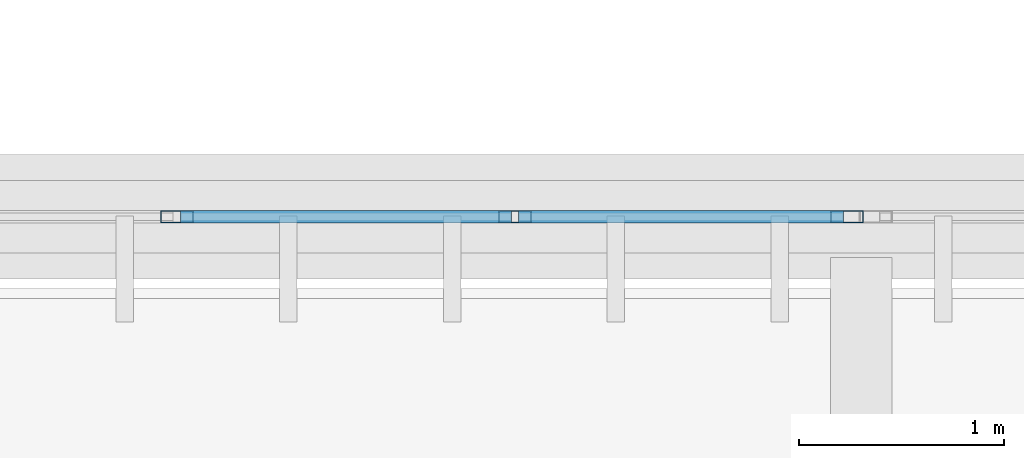
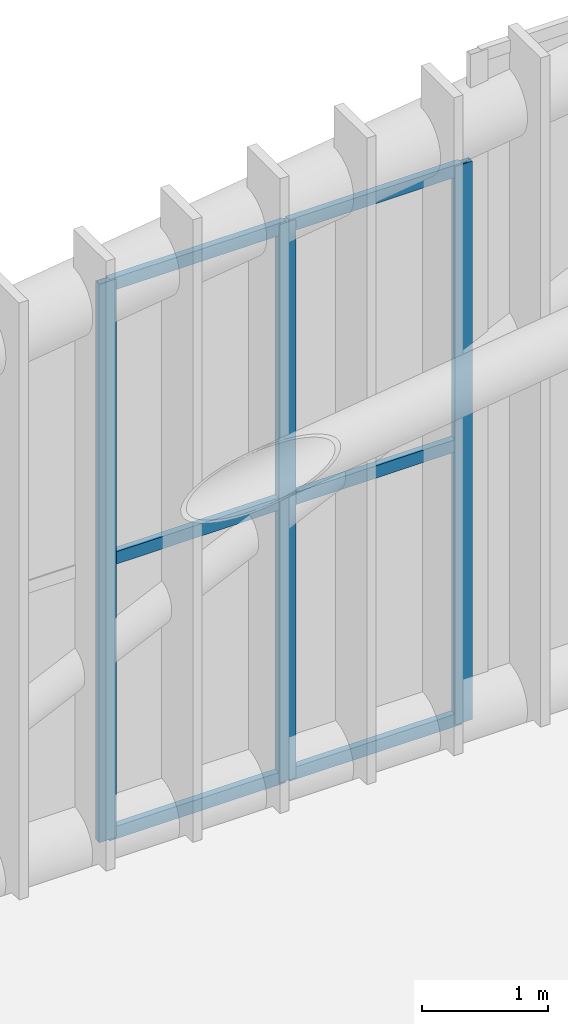
# One storey, part 19 of 397: 9 members, 1 element without a shape of its own.
"""IFC4 building model written with IfcOpenShell, lengths in metres."""

from ifc_helpers import new_model, si_unit, direction, frame, origin, origin_2d, place, context, subcontext, project, spatial, hollow_rectangle, extrude, material, material_profile, profile_set, type_object, element, aggregate, save


model = new_model("IFC4")

# Units and contexts
model_context = context("Model", 3, precision=1e-05, world=origin(), true_north=direction((0.0, 1.0)))
body_context = subcontext(model_context, "Body", "Model", "MODEL_VIEW")
ifc_project = project(units=[si_unit("LENGTHUNIT", "METRE"), si_unit("AREAUNIT", "SQUARE_METRE"), si_unit("VOLUMEUNIT", "CUBIC_METRE"), si_unit("PLANEANGLEUNIT", "RADIAN"), si_unit("MASSUNIT", "GRAM", prefix="KILO")], contexts=[model_context])

# Site, building, storey
site_placement = place(None, origin())
site = spatial("IfcSite", under=ifc_project, at=site_placement, CompositionType="ELEMENT")
building_placement = place(site_placement, origin())
building = spatial("IfcBuilding", under=site, at=building_placement, Name="Qandorah Velis Arena", CompositionType="ELEMENT")
storey_placement = place(building_placement, frame((0.0, 0.0, 27.5)))
storey = spatial("IfcBuildingStorey", under=building, at=storey_placement, Name="RF", CompositionType="ELEMENT", Elevation=27.5)

# Curtain wall, members
ifc_material_1 = material(Name="Solar-control low-E double glazing", Category="glass")
curtain_wall_type = type_object("IfcCurtainWallType", Name="ARC-CW-SYS18", PredefinedType="USERDEFINED", material=ifc_material_1)
curtain_wall_placement = place(storey_placement, origin())
curtain_wall = element("IfcCurtainWall", 1, at=curtain_wall_placement, inside=storey, type_object=curtain_wall_type, Name="Unitised curtain wall CROWN-3-02S1", ObjectType="UNITISED CURTAIN WALL", PredefinedType="USERDEFINED")
ifc_material_2 = material(Name="Champagne-bronze anodized aluminium 6063-T6", Category="aluminium")
ifc_material_profile_1 = material_profile(ifc_material_2, hollow_rectangle(XDim=0.06005859375, YDim=0.159912109375, WallThickness=0.00341796875, at=origin_2d()), Name="ALU MULLION 60x160")
ifc_profile_set_1 = profile_set([ifc_material_profile_1], Name="Champagne-bronze anodized aluminium 6063-T6")
member_type_1 = type_object("IfcMemberType", Name="ARC-CWM-160", PredefinedType="MULLION", material=ifc_profile_set_1)
member_1_placement = place(storey_placement, frame((32.655029296875, 14.39990234375, -0.014892578125), z_axis=(0.0, 0.0, 1.0), x_axis=(0.0, 1.0, 0.0)))
member_1 = element("IfcMember", 2, at=member_1_placement, type_object=member_type_1, Name="CW18 mullion 3", PredefinedType="MULLION", context=body_context, shape_type="SweptSolid", body=[
    extrude(hollow_rectangle(XDim=0.06005859375, YDim=0.159912109375, WallThickness=0.00341796875, at=origin_2d()), origin(), (0.0, 0.0, 1.0), 5.430908203125),
])
member_2_placement = place(storey_placement, frame((34.3076171875, 14.39990234375, -0.014892578125), z_axis=(0.0, 0.0, 1.0), x_axis=(0.0, 1.0, 0.0)))
member_2 = element("IfcMember", 3, at=member_2_placement, type_object=member_type_1, Name="CW18 mullion 4", PredefinedType="MULLION", context=body_context, shape_type="SweptSolid", body=[
    extrude(hollow_rectangle(XDim=0.06005859375, YDim=0.159912109375, WallThickness=0.00341796875, at=origin_2d()), origin(), (0.0, 0.0, 1.0), 5.430908203125),
])
member_3_placement = place(storey_placement, frame((35.929931640625, 14.39990234375, -0.014892578125), z_axis=(0.0, 0.0, 1.0), x_axis=(0.0, 1.0, 0.0)))
member_3 = element("IfcMember", 4, at=member_3_placement, type_object=member_type_1, Name="CW18 mullion 5", PredefinedType="MULLION", context=body_context, shape_type="SweptSolid", body=[
    extrude(hollow_rectangle(XDim=0.06005859375, YDim=0.159912109375, WallThickness=0.00341796875, at=origin_2d()), origin(), (0.0, 0.0, 1.0), 5.430908203125),
])
ifc_material_profile_2 = material_profile(ifc_material_2, hollow_rectangle(XDim=0.06005859375, YDim=0.1201171875, WallThickness=0.0029296875, at=origin_2d()), Name="ALU TRANSOM 60x120")
ifc_profile_set_2 = profile_set([ifc_material_profile_2], Name="Champagne-bronze anodized aluminium 6063-T6")
member_type_2 = type_object("IfcMemberType", Name="ARC-CWT-120", PredefinedType="USERDEFINED", material=ifc_profile_set_2)
member_4_placement = place(storey_placement, frame((32.673095703125, 14.39990234375, 0.030029296875), z_axis=(1.0, 0.0, 0.0), x_axis=(0.0, 1.0, 0.0)))
member_4 = element("IfcMember", 5, at=member_4_placement, type_object=member_type_2, Name="CW18 transom 3.1", ObjectType="TRANSOM", PredefinedType="USERDEFINED", context=body_context, shape_type="SweptSolid", body=[
    extrude(hollow_rectangle(XDim=0.06005859375, YDim=0.1201171875, WallThickness=0.0029296875, at=origin_2d()), origin(), (0.0, 0.0, 1.0), 1.616455078125),
])
member_5_placement = place(storey_placement, frame((32.673095703125, 14.39990234375, 2.700439453125), z_axis=(1.0, 0.0, 0.0), x_axis=(0.0, 1.0, 0.0)))
member_5 = element("IfcMember", 6, at=member_5_placement, type_object=member_type_2, Name="CW18 transom 3.2", ObjectType="TRANSOM", PredefinedType="USERDEFINED", context=body_context, shape_type="SweptSolid", body=[
    extrude(hollow_rectangle(XDim=0.06005859375, YDim=0.1201171875, WallThickness=0.0029296875, at=origin_2d()), origin(), (0.0, 0.0, 1.0), 1.616455078125),
])
member_6_placement = place(storey_placement, frame((32.673095703125, 14.39990234375, 5.370849609375), z_axis=(1.0, 0.0, 0.0), x_axis=(0.0, 1.0, 0.0)))
member_6 = element("IfcMember", 7, at=member_6_placement, type_object=member_type_2, Name="CW18 transom 3.3", ObjectType="TRANSOM", PredefinedType="USERDEFINED", context=body_context, shape_type="SweptSolid", body=[
    extrude(hollow_rectangle(XDim=0.06005859375, YDim=0.1201171875, WallThickness=0.0029296875, at=origin_2d()), origin(), (0.0, 0.0, 1.0), 1.616455078125),
])
member_7_placement = place(storey_placement, frame((34.325439453125, 14.39990234375, 0.030029296875), z_axis=(1.0, 0.0, 0.0), x_axis=(0.0, 1.0, 0.0)))
member_7 = element("IfcMember", 8, at=member_7_placement, type_object=member_type_2, Name="CW18 transom 4.1", ObjectType="TRANSOM", PredefinedType="USERDEFINED", context=body_context, shape_type="SweptSolid", body=[
    extrude(hollow_rectangle(XDim=0.06005859375, YDim=0.1201171875, WallThickness=0.0029296875, at=origin_2d()), origin(), (0.0, 0.0, 1.0), 1.586669921875),
])
member_8_placement = place(storey_placement, frame((34.325439453125, 14.39990234375, 2.700439453125), z_axis=(1.0, 0.0, 0.0), x_axis=(0.0, 1.0, 0.0)))
member_8 = element("IfcMember", 9, at=member_8_placement, type_object=member_type_2, Name="CW18 transom 4.2", ObjectType="TRANSOM", PredefinedType="USERDEFINED", context=body_context, shape_type="SweptSolid", body=[
    extrude(hollow_rectangle(XDim=0.06005859375, YDim=0.1201171875, WallThickness=0.0029296875, at=origin_2d()), origin(), (0.0, 0.0, 1.0), 1.586669921875),
])
member_9_placement = place(storey_placement, frame((34.325439453125, 14.39990234375, 5.370849609375), z_axis=(1.0, 0.0, 0.0), x_axis=(0.0, 1.0, 0.0)))
member_9 = element("IfcMember", 10, at=member_9_placement, type_object=member_type_2, Name="CW18 transom 4.3", ObjectType="TRANSOM", PredefinedType="USERDEFINED", context=body_context, shape_type="SweptSolid", body=[
    extrude(hollow_rectangle(XDim=0.06005859375, YDim=0.1201171875, WallThickness=0.0029296875, at=origin_2d()), origin(), (0.0, 0.0, 1.0), 1.586669921875),
])
aggregate(curtain_wall, [member_1, member_2, member_3, member_4, member_5, member_6, member_7, member_8, member_9])

save(model, "model.ifc")
